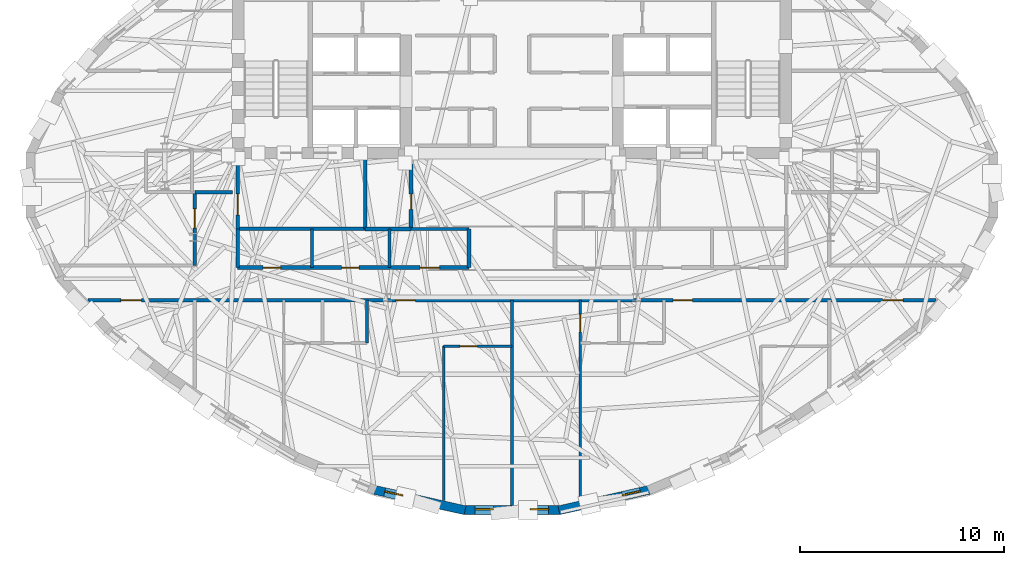
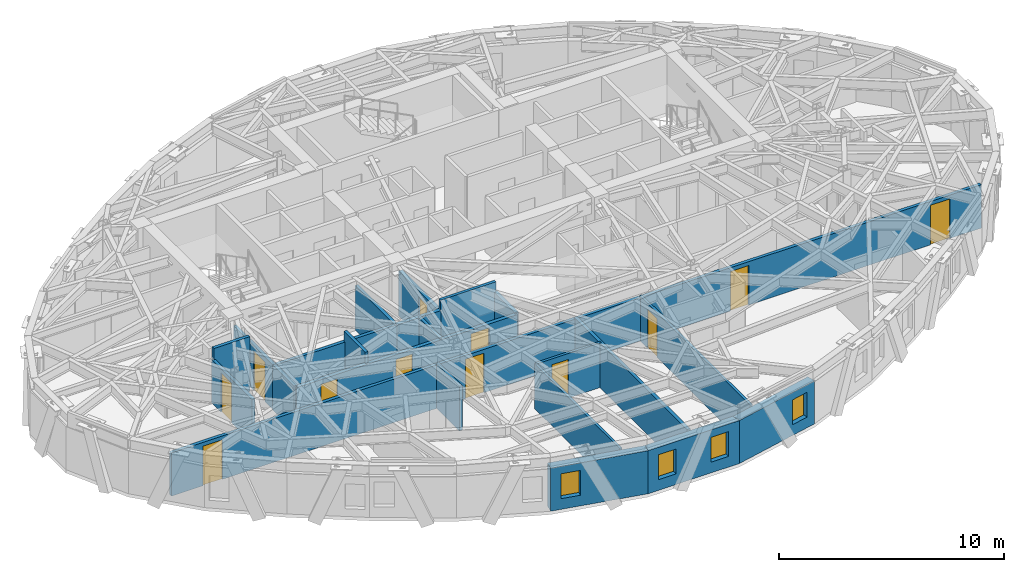
# One storey, part 6 of 13: 22 walls, 12 doors, 4 windows, 16 openings.
"""IFC4 building model written with IfcOpenShell, lengths in metres."""

from ifc_helpers import new_model, si_unit, direction, frame, frame_2d, origin, place, context, subcontext, project, spatial, rectangle, extrude, material, layer, layer_set, type_object, element, fill, save


model = new_model("IFC4")

# Units and contexts
model_context = context("Model", 3, precision=1e-05, world=origin(), true_north=direction((0.0, 1.0)))
body_context = subcontext(model_context, "Body", "Model", "MODEL_VIEW")
ifc_project = project(units=[si_unit("LENGTHUNIT", "METRE"), si_unit("AREAUNIT", "SQUARE_METRE"), si_unit("VOLUMEUNIT", "CUBIC_METRE"), si_unit("PLANEANGLEUNIT", "RADIAN"), si_unit("MASSUNIT", "GRAM", prefix="KILO")], contexts=[model_context])

# Site, building, storey
site_placement = place(None, origin())
site = spatial("IfcSite", under=ifc_project, at=site_placement, CompositionType="ELEMENT")
building_placement = place(site_placement, origin())
building = spatial("IfcBuilding", under=site, at=building_placement, Name="Keldmark Tower", CompositionType="ELEMENT")
storey_placement = place(building_placement, frame((0.0, 0.0, 210.0)))
storey = spatial("IfcBuildingStorey", under=building, at=storey_placement, Name="L58", CompositionType="ELEMENT", Elevation=210.0)

# Wall, openings, doors
ifc_material_1 = material(Name="Heavy Acoustic Plumbing Chase Gypsum Assembly", Category="gypsum")
ifc_layer_1 = layer(ifc_material_1, 0.18994140625)
ifc_layer_set_1 = layer_set([ifc_layer_1], Name="Heavy Acoustic Plumbing Chase Gypsum Assembly")
wall_type_1 = type_object("IfcWallType", Name="Heavy Wet Wall 190 mm", PredefinedType="PLUMBINGWALL", material=ifc_layer_set_1)
wall_1_placement = place(storey_placement, frame((-13.449951171875, -4.050048828125, 0.0), z_axis=(0.0, 0.0, 1.0), x_axis=(1.0, 0.0, 0.0)))
wall_1 = element("IfcWall", 1, at=wall_1_placement, inside=storey, type_object=wall_type_1, Name="L58 Heavy Wet Wall 190 mm SPK-W-S", PredefinedType="PLUMBINGWALL", context=body_context, shape_type="SweptSolid", body=[
    extrude(rectangle(XDim=11.349853515625, YDim=0.18994140625, at=frame_2d((5.6748046875, 0.0))), origin(), (0.0, 0.0, 1.0), 2.35693359375),
])
opening_1_placement = place(wall_1_placement, frame((1.25, 0.0, 0.0)))
opening_1 = element("IfcOpeningElement", 2, at=opening_1_placement, cuts=wall_1, Name="Opening D-WC085", PredefinedType="OPENING", context=body_context, shape_type="SweptSolid", body=[
    extrude(rectangle(XDim=0.85009765625, YDim=2.10009765625, at=frame_2d((0.425048828125, 1.050048828125))), frame((0.0, 0.10498046875, 0.0), z_axis=(0.0, -1.0, 0.0), x_axis=(1.0, 0.0, 0.0)), (0.0, 0.0, 1.0), 0.2099609375),
])
opening_2_placement = place(wall_1_placement, frame((5.10009765625, 0.0, 0.0)))
opening_2 = element("IfcOpeningElement", 3, at=opening_2_placement, cuts=wall_1, Name="Opening D-WC085", PredefinedType="OPENING", context=body_context, shape_type="SweptSolid", body=[
    extrude(rectangle(XDim=0.85009765625, YDim=2.10009765625, at=frame_2d((0.425048828125, 1.050048828125))), frame((0.0, 0.10498046875, 0.0), z_axis=(0.0, -1.0, 0.0), x_axis=(1.0, 0.0, 0.0)), (0.0, 0.0, 1.0), 0.2099609375),
])
opening_3_placement = place(wall_1_placement, frame((8.949951171875, 0.0, 0.0)))
opening_3 = element("IfcOpeningElement", 4, at=opening_3_placement, cuts=wall_1, Name="Opening D-AWC95", PredefinedType="OPENING", context=body_context, shape_type="SweptSolid", body=[
    extrude(rectangle(XDim=0.949951171875, YDim=2.14990234375, at=frame_2d((0.47509765625, 1.074951171875))), frame((0.0, 0.10498046875, 0.0), z_axis=(0.0, -1.0, 0.0), x_axis=(1.0, 0.0, 0.0)), (0.0, 0.0, 1.0), 0.2099609375),
])
ifc_material_2 = material(Name="Painted Solid-Core Architectural Wood", Category="wood")
door_type_1 = type_object("IfcDoorType", Name="Accessible WC Door 950x2150", OperationType="NOTDEFINED", PredefinedType="DOOR", material=ifc_material_2)
door_1_placement = place(opening_3_placement, origin())
door_1 = element("IfcDoor", 5, at=door_1_placement, inside=storey, type_object=door_type_1, Name="L58 Accessible WC Door 950x2150 D-SPKW3-L58", OperationType="SINGLE_SWING_LEFT", OverallHeight=2.14990234375, OverallWidth=0.949951171875, PredefinedType="DOOR", context=body_context, shape_type="SweptSolid", body=[
    extrude(rectangle(XDim=0.949951171875, YDim=2.14990234375, at=frame_2d((0.47509765625, 1.074951171875))), frame((0.0, 0.02490234375, 0.0), z_axis=(0.0, -1.0, 0.0), x_axis=(1.0, 0.0, 0.0)), (0.0, 0.0, 1.0), 0.050048828125),
])
fill(opening_3, door_1)
ifc_material_3 = material(Name="Moisture-Sealed Painted Wood", Category="wood")
door_type_2 = type_object("IfcDoorType", Name="WC Door 850x2100", OperationType="NOTDEFINED", PredefinedType="DOOR", material=ifc_material_3)
door_2_placement = place(opening_1_placement, origin())
door_2 = element("IfcDoor", 6, at=door_2_placement, inside=storey, type_object=door_type_2, Name="L58 WC Door 850x2100 D-SPKW1-L58", OperationType="SINGLE_SWING_LEFT", OverallHeight=2.10009765625, OverallWidth=0.85009765625, PredefinedType="DOOR", context=body_context, shape_type="SweptSolid", body=[
    extrude(rectangle(XDim=0.85009765625, YDim=2.10009765625, at=frame_2d((0.425048828125, 1.050048828125))), frame((0.0, 0.02490234375, 0.0), z_axis=(0.0, -1.0, 0.0), x_axis=(1.0, 0.0, 0.0)), (0.0, 0.0, 1.0), 0.050048828125),
])
fill(opening_1, door_2)
door_3_placement = place(opening_2_placement, origin())
door_3 = element("IfcDoor", 7, at=door_3_placement, inside=storey, type_object=door_type_2, Name="L58 WC Door 850x2100 D-SPKW2-L58", OperationType="SINGLE_SWING_RIGHT", OverallHeight=2.10009765625, OverallWidth=0.85009765625, PredefinedType="DOOR", context=body_context, shape_type="SweptSolid", body=[
    extrude(rectangle(XDim=0.85009765625, YDim=2.10009765625, at=frame_2d((0.425048828125, 1.050048828125))), frame((0.0, 0.02490234375, 0.0), z_axis=(0.0, -1.0, 0.0), x_axis=(1.0, 0.0, 0.0)), (0.0, 0.0, 1.0), 0.050048828125),
])
fill(opening_2, door_3)

# Walls
for number, where, z_axis, x_axis, name in (
    (8, (-13.449951171875, -4.050048828125, 0.0), (0.0, 0.0, 1.0), (0.0, 1.0, 0.0), "L58 Heavy Wet Wall 190 mm SPK-W-W"),
    (9, (-2.10009765625, -4.050048828125, 0.0), (0.0, 0.0, 1.0), (0.0, 1.0, 0.0), "L58 Heavy Wet Wall 190 mm SPK-W-E"),
):
    element("IfcWall", number, at=place(storey_placement, frame(where, z_axis=z_axis, x_axis=x_axis)), inside=storey, type_object=wall_type_1, Name=name, PredefinedType="PLUMBINGWALL", context=body_context, shape_type="SweptSolid", body=[
        extrude(rectangle(XDim=1.900146484375, YDim=0.18994140625, at=frame_2d((0.9501953125, 0.0))), origin(), (0.0, 0.0, 1.0), 2.423095703125),
    ])
ifc_material_4 = material(Name="Acoustic Gypsum Board Interior Partition", Category="gypsum")
ifc_layer_2 = layer(ifc_material_4, 0.1298828125)
ifc_layer_set_2 = layer_set([ifc_layer_2], Name="Acoustic Gypsum Board Interior Partition")
wall_type_2 = type_object("IfcWallType", Name="Interior Partition 130 mm", PredefinedType="PARTITIONING", material=ifc_layer_set_2)
wall_2_placement = place(storey_placement, frame((-3.35009765625, -15.481201171875, 0.0), z_axis=(0.0, 0.0, 1.0), x_axis=(0.0, 1.0, 0.0)))
element("IfcWall", 10, at=wall_2_placement, inside=storey, type_object=wall_type_2, Name="L58 Interior Partition 130 mm UA-BR2-W", PredefinedType="PARTITIONING", context=body_context, shape_type="SweptSolid", body=[
    extrude(rectangle(XDim=7.581298828125, YDim=0.1298828125, at=frame_2d((3.79052734375, 0.0))), origin(), (0.0, 0.0, 1.0), 2.423095703125),
])

# Wall, opening, door
wall_3_placement = place(storey_placement, frame((-3.35009765625, -7.89990234375, 0.0), z_axis=(0.0, 0.0, 1.0), x_axis=(1.0, 0.0, 0.0)))
wall_3 = element("IfcWall", 11, at=wall_3_placement, inside=storey, type_object=wall_type_2, Name="L58 Interior Partition 130 mm UA-BR2-N", PredefinedType="PARTITIONING", context=body_context, shape_type="SweptSolid", body=[
    extrude(rectangle(XDim=3.35009765625, YDim=0.1298828125, at=frame_2d((1.675048828125, 0.0))), origin(), (0.0, 0.0, 1.0), 2.423095703125),
])
opening_4_placement = place(wall_3_placement, frame((0.800048828125, 0.0, 0.0)))
opening_4 = element("IfcOpeningElement", 12, at=opening_4_placement, cuts=wall_3, Name="Opening D-BR085", PredefinedType="OPENING", context=body_context, shape_type="SweptSolid", body=[
    extrude(rectangle(XDim=0.85009765625, YDim=2.10009765625, at=frame_2d((0.425048828125, 1.050048828125))), frame((0.0, 0.074951171875, 0.0), z_axis=(0.0, -1.0, 0.0), x_axis=(1.0, 0.0, 0.0)), (0.0, 0.0, 1.0), 0.14990234375),
])
ifc_material_5 = material(Name="Solid-Core Stained Walnut Wood", Category="wood")
door_type_3 = type_object("IfcDoorType", Name="Bedroom Door 850x2100", OperationType="NOTDEFINED", PredefinedType="DOOR", material=ifc_material_5)
door_4_placement = place(opening_4_placement, origin())
door_4 = element("IfcDoor", 13, at=door_4_placement, inside=storey, type_object=door_type_3, Name="L58 Bedroom Door 850x2100 D-UA-BR2-L58", OperationType="SINGLE_SWING_LEFT", OverallHeight=2.10009765625, OverallWidth=0.85009765625, PredefinedType="DOOR", context=body_context, shape_type="SweptSolid", body=[
    extrude(rectangle(XDim=0.85009765625, YDim=2.10009765625, at=frame_2d((0.425048828125, 1.050048828125))), frame((0.0, 0.02490234375, 0.0), z_axis=(0.0, -1.0, 0.0), x_axis=(1.0, 0.0, 0.0)), (0.0, 0.0, 1.0), 0.050048828125),
])
fill(opening_4, door_4)

wall_4_placement = place(storey_placement, frame((3.35009765625, -15.481201171875, 0.0), z_axis=(0.0, 0.0, 1.0), x_axis=(0.0, 1.0, 0.0)))
wall_4 = element("IfcWall", 14, at=wall_4_placement, inside=storey, type_object=wall_type_2, Name="L58 Interior Partition 130 mm UB-BR1-E", PredefinedType="PARTITIONING", context=body_context, shape_type="SweptSolid", body=[
    extrude(rectangle(XDim=9.831298828125, YDim=0.1298828125, at=frame_2d((4.91552734375, 0.0))), origin(), (0.0, 0.0, 1.0), 2.423095703125),
])
opening_5_placement = place(wall_4_placement, frame((8.28125, 0.0, 0.0)))
opening_5 = element("IfcOpeningElement", 15, at=opening_5_placement, cuts=wall_4, Name="Opening D-BR085", PredefinedType="OPENING", context=body_context, shape_type="SweptSolid", body=[
    extrude(rectangle(XDim=0.85009765625, YDim=2.10009765625, at=frame_2d((0.425048828125, 1.050048828125))), frame((0.0, 0.074951171875, 0.0), z_axis=(0.0, -1.0, 0.0), x_axis=(1.0, 0.0, 0.0)), (0.0, 0.0, 1.0), 0.14990234375),
])
door_5_placement = place(opening_5_placement, origin())
door_5 = element("IfcDoor", 16, at=door_5_placement, inside=storey, type_object=door_type_3, Name="L58 Bedroom Door 850x2100 D-UB-BR1-L58", OperationType="SINGLE_SWING_RIGHT", OverallHeight=2.10009765625, OverallWidth=0.85009765625, PredefinedType="DOOR", context=body_context, shape_type="SweptSolid", body=[
    extrude(rectangle(XDim=0.85009765625, YDim=2.10009765625, at=frame_2d((0.425048828125, 1.050048828125))), frame((0.0, 0.02490234375, 0.0), z_axis=(0.0, -1.0, 0.0), x_axis=(1.0, 0.0, 0.0)), (0.0, 0.0, 1.0), 0.050048828125),
])
fill(opening_5, door_5)

# Wall
ifc_material_6 = material(Name="Type X Fire-Rated Gypsum Partition Assembly", Category="gypsum")
ifc_layer_3 = layer(ifc_material_6, 0.1650390625)
ifc_layer_set_3 = layer_set([ifc_layer_3], Name="Type X Fire-Rated Gypsum Partition Assembly")
wall_type_3 = type_object("IfcWallType", Name="Rated Partition 165 mm", PredefinedType="PARTITIONING", material=ifc_layer_set_3)
wall_5_placement = place(storey_placement, frame((-13.449951171875, -2.14990234375, 0.0), z_axis=(0.0, 0.0, 1.0), x_axis=(1.0, 0.0, 0.0)))
element("IfcWall", 17, at=wall_5_placement, inside=storey, type_object=wall_type_3, Name="L58 Rated Partition 165 mm FSAE-W-S", PredefinedType="PARTITIONING", context=body_context, shape_type="SweptSolid", body=[
    extrude(rectangle(XDim=6.25, YDim=0.1650390625, at=frame_2d((3.125, 0.0))), origin(), (0.0, 0.0, 1.0), 2.423095703125),
])

# Wall, opening, door
wall_6_placement = place(storey_placement, frame((-13.449951171875, -2.14990234375, 0.0), z_axis=(0.0, 0.0, 1.0), x_axis=(0.0, 1.0, 0.0)))
wall_6 = element("IfcWall", 18, at=wall_6_placement, inside=storey, type_object=wall_type_3, Name="L58 Rated Partition 165 mm FSAE-W-W", PredefinedType="PARTITIONING", context=body_context, shape_type="SweptSolid", body=[
    extrude(rectangle(XDim=3.5, YDim=0.1650390625, at=frame_2d((1.75, 0.0))), origin(), (0.0, 0.0, 1.0), 2.423095703125),
])
opening_6_placement = place(wall_6_placement, frame((0.669921875, 0.0, 0.0)))
opening_6 = element("IfcOpeningElement", 19, at=opening_6_placement, cuts=wall_6, Name="Opening D-FL105", PredefinedType="OPENING", context=body_context, shape_type="SweptSolid", body=[
    extrude(rectangle(XDim=1.050048828125, YDim=2.14990234375, at=frame_2d((0.52490234375, 1.074951171875))), frame((0.0, 0.092529296875, 0.0), z_axis=(0.0, -1.0, 0.0), x_axis=(1.0, 0.0, 0.0)), (0.0, 0.0, 1.0), 0.18505859375),
])
ifc_material_7 = material(Name="Fire-Rated Mineral-Core Door and Vision Lite", Category="metal")
door_type_4 = type_object("IfcDoorType", Name="Fire Lobby Door 1050x2150", OperationType="NOTDEFINED", PredefinedType="DOOR", material=ifc_material_7)
door_6_placement = place(opening_6_placement, origin())
door_6 = element("IfcDoor", 20, at=door_6_placement, inside=storey, type_object=door_type_4, Name="L58 Fire Lobby Door 1050x2150 D-FSAEW-OUT-L58", OperationType="SINGLE_SWING_RIGHT", OverallHeight=2.14990234375, OverallWidth=1.050048828125, PredefinedType="DOOR", context=body_context, shape_type="SweptSolid", body=[
    extrude(rectangle(XDim=1.050048828125, YDim=2.14990234375, at=frame_2d((0.52490234375, 1.074951171875))), frame((0.0, 0.02490234375, 0.0), z_axis=(0.0, -1.0, 0.0), x_axis=(1.0, 0.0, 0.0)), (0.0, 0.0, 1.0), 0.050048828125),
])
fill(opening_6, door_6)

# Wall
wall_7_placement = place(storey_placement, frame((-7.199951171875, -2.14990234375, 0.0), z_axis=(0.0, 0.0, 1.0), x_axis=(0.0, 1.0, 0.0)))
element("IfcWall", 21, at=wall_7_placement, inside=storey, type_object=wall_type_3, Name="L58 Rated Partition 165 mm FSAE-W-E", PredefinedType="PARTITIONING", context=body_context, shape_type="SweptSolid", body=[
    extrude(rectangle(XDim=3.5, YDim=0.1650390625, at=frame_2d((1.75, 0.0))), origin(), (0.0, 0.0, 1.0), 2.423095703125),
])

# Wall, openings, doors
wall_8_placement = place(storey_placement, frame((-20.799072265625, -5.64990234375, 0.0), z_axis=(0.0, 0.0, 1.0), x_axis=(1.0, 0.0, 0.0)))
wall_8 = element("IfcWall", 22, at=wall_8_placement, inside=storey, type_object=wall_type_3, Name="L58 Rated Partition 165 mm RCOR-S", PredefinedType="PARTITIONING", context=body_context, shape_type="SweptSolid", body=[
    extrude(rectangle(XDim=41.59814453125, YDim=0.1650390625, at=frame_2d((20.799072265625, 0.0))), origin(), (0.0, 0.0, 1.0), 2.35693359375),
])
opening_7_placement = place(wall_8_placement, frame((1.6201171875, 0.0, 0.0)))
opening_7 = element("IfcOpeningElement", 23, at=opening_7_placement, cuts=wall_8, Name="Opening D-FD100", PredefinedType="OPENING", context=body_context, shape_type="SweptSolid", body=[
    extrude(rectangle(XDim=1.0, YDim=2.14990234375, at=frame_2d((0.5, 1.074951171875))), frame((0.0, 0.092529296875, 0.0), z_axis=(0.0, -1.0, 0.0), x_axis=(1.0, 0.0, 0.0)), (0.0, 0.0, 1.0), 0.18505859375),
])
opening_8_placement = place(wall_8_placement, frame((38.97802734375, 0.0, 0.0)))
opening_8 = element("IfcOpeningElement", 24, at=opening_8_placement, cuts=wall_8, Name="Opening D-FD100", PredefinedType="OPENING", context=body_context, shape_type="SweptSolid", body=[
    extrude(rectangle(XDim=1.0, YDim=2.14990234375, at=frame_2d((0.5, 1.074951171875))), frame((0.0, 0.092529296875, 0.0), z_axis=(0.0, -1.0, 0.0), x_axis=(1.0, 0.0, 0.0)), (0.0, 0.0, 1.0), 0.18505859375),
])
opening_9_placement = place(wall_8_placement, frame((15.109130859375, 0.0, 0.0)))
opening_9 = element("IfcOpeningElement", 25, at=opening_9_placement, cuts=wall_8, Name="Opening D-AP095", PredefinedType="OPENING", context=body_context, shape_type="SweptSolid", body=[
    extrude(rectangle(XDim=0.949951171875, YDim=2.14990234375, at=frame_2d((0.47509765625, 1.074951171875))), frame((0.0, 0.092529296875, 0.0), z_axis=(0.0, -1.0, 0.0), x_axis=(1.0, 0.0, 0.0)), (0.0, 0.0, 1.0), 0.18505859375),
])
opening_10_placement = place(wall_8_placement, frame((28.69921875, 0.0, 0.0)))
opening_10 = element("IfcOpeningElement", 26, at=opening_10_placement, cuts=wall_8, Name="Opening D-AP095", PredefinedType="OPENING", context=body_context, shape_type="SweptSolid", body=[
    extrude(rectangle(XDim=0.949951171875, YDim=2.14990234375, at=frame_2d((0.47509765625, 1.074951171875))), frame((0.0, 0.092529296875, 0.0), z_axis=(0.0, -1.0, 0.0), x_axis=(1.0, 0.0, 0.0)), (0.0, 0.0, 1.0), 0.18505859375),
])
ifc_material_8 = material(Name="Solid-Core Walnut Fire-Rated Entry Assembly", Category="wood")
door_type_5 = type_object("IfcDoorType", Name="Apartment Entry Door 950x2150", OperationType="NOTDEFINED", PredefinedType="DOOR", material=ifc_material_8)
door_7_placement = place(opening_9_placement, origin())
door_7 = element("IfcDoor", 27, at=door_7_placement, inside=storey, type_object=door_type_5, Name="L58 Apartment Entry Door 950x2150 D-UA-ENT-L58", OperationType="SINGLE_SWING_RIGHT", OverallHeight=2.14990234375, OverallWidth=0.949951171875, PredefinedType="DOOR", context=body_context, shape_type="SweptSolid", body=[
    extrude(rectangle(XDim=0.949951171875, YDim=2.14990234375, at=frame_2d((0.47509765625, 1.074951171875))), frame((0.0, 0.02490234375, 0.0), z_axis=(0.0, -1.0, 0.0), x_axis=(1.0, 0.0, 0.0)), (0.0, 0.0, 1.0), 0.050048828125),
])
fill(opening_9, door_7)
door_8_placement = place(opening_10_placement, origin())
door_8 = element("IfcDoor", 28, at=door_8_placement, inside=storey, type_object=door_type_5, Name="L58 Apartment Entry Door 950x2150 D-UB-ENT-L58", OperationType="SINGLE_SWING_LEFT", OverallHeight=2.14990234375, OverallWidth=0.949951171875, PredefinedType="DOOR", context=body_context, shape_type="SweptSolid", body=[
    extrude(rectangle(XDim=0.949951171875, YDim=2.14990234375, at=frame_2d((0.47509765625, 1.074951171875))), frame((0.0, 0.02490234375, 0.0), z_axis=(0.0, -1.0, 0.0), x_axis=(1.0, 0.0, 0.0)), (0.0, 0.0, 1.0), 0.050048828125),
])
fill(opening_10, door_8)
ifc_material_9 = material(Name="Hollow Metal Fire-Rated Corridor Door", Category="metal")
door_type_6 = type_object("IfcDoorType", Name="Fire Door 1000x2150", OperationType="NOTDEFINED", PredefinedType="DOOR", material=ifc_material_9)
door_9_placement = place(opening_7_placement, origin())
door_9 = element("IfcDoor", 29, at=door_9_placement, inside=storey, type_object=door_type_6, Name="L58 Fire Door 1000x2150 D-RSCW-L58", OperationType="SINGLE_SWING_LEFT", OverallHeight=2.14990234375, OverallWidth=1.0, PredefinedType="DOOR", context=body_context, shape_type="SweptSolid", body=[
    extrude(rectangle(XDim=1.0, YDim=2.14990234375, at=frame_2d((0.5, 1.074951171875))), frame((0.0, 0.02490234375, 0.0), z_axis=(0.0, -1.0, 0.0), x_axis=(1.0, 0.0, 0.0)), (0.0, 0.0, 1.0), 0.050048828125),
])
fill(opening_7, door_9)
door_10_placement = place(opening_8_placement, origin())
door_10 = element("IfcDoor", 30, at=door_10_placement, inside=storey, type_object=door_type_6, Name="L58 Fire Door 1000x2150 D-RSCE-L58", OperationType="SINGLE_SWING_LEFT", OverallHeight=2.14990234375, OverallWidth=1.0, PredefinedType="DOOR", context=body_context, shape_type="SweptSolid", body=[
    extrude(rectangle(XDim=1.0, YDim=2.14990234375, at=frame_2d((0.5, 1.074951171875))), frame((0.0, 0.02490234375, 0.0), z_axis=(0.0, -1.0, 0.0), x_axis=(1.0, 0.0, 0.0)), (0.0, 0.0, 1.0), 0.050048828125),
])
fill(opening_8, door_10)

# Wall, opening, door
wall_9_placement = place(storey_placement, frame((-15.550048828125, -3.949951171875, 0.0), z_axis=(0.0, 0.0, 1.0), x_axis=(0.0, 1.0, 0.0)))
wall_9 = element("IfcWall", 31, at=wall_9_placement, inside=storey, type_object=wall_type_3, Name="L58 Rated Partition 165 mm RCOR-VW", PredefinedType="PARTITIONING", context=body_context, shape_type="SweptSolid", body=[
    extrude(rectangle(XDim=3.599853515625, YDim=0.1650390625, at=frame_2d((1.7998046875, 0.0))), origin(), (0.0, 0.0, 1.0), 2.35693359375),
])
opening_11_placement = place(wall_9_placement, frame((1.830078125, 0.0, 0.0)))
opening_11 = element("IfcOpeningElement", 32, at=opening_11_placement, cuts=wall_9, Name="Opening D-AP095", PredefinedType="OPENING", context=body_context, shape_type="SweptSolid", body=[
    extrude(rectangle(XDim=0.949951171875, YDim=2.14990234375, at=frame_2d((0.47509765625, 1.074951171875))), frame((0.0, 0.092529296875, 0.0), z_axis=(0.0, -1.0, 0.0), x_axis=(1.0, 0.0, 0.0)), (0.0, 0.0, 1.0), 0.18505859375),
])
door_11_placement = place(opening_11_placement, origin())
door_11 = element("IfcDoor", 33, at=door_11_placement, inside=storey, type_object=door_type_5, Name="L58 Apartment Entry Door 950x2150 D-UC-ENT-L58", OperationType="SINGLE_SWING_RIGHT", OverallHeight=2.14990234375, OverallWidth=0.949951171875, PredefinedType="DOOR", context=body_context, shape_type="SweptSolid", body=[
    extrude(rectangle(XDim=0.949951171875, YDim=2.14990234375, at=frame_2d((0.47509765625, 1.074951171875))), frame((0.0, 0.02490234375, 0.0), z_axis=(0.0, -1.0, 0.0), x_axis=(1.0, 0.0, 0.0)), (0.0, 0.0, 1.0), 0.050048828125),
])
fill(opening_11, door_11)

# Walls
wall_10_placement = place(storey_placement, frame((-15.550048828125, -0.35009765625, 0.0), z_axis=(0.0, 0.0, 1.0), x_axis=(1.0, 0.0, 0.0)))
element("IfcWall", 34, at=wall_10_placement, inside=storey, type_object=wall_type_3, Name="L58 Rated Partition 165 mm RCOR-VWN", PredefinedType="PARTITIONING", context=body_context, shape_type="SweptSolid", body=[
    extrude(rectangle(XDim=1.85009765625, YDim=0.1650390625, at=frame_2d((0.925048828125, 0.0))), origin(), (0.0, 0.0, 1.0), 2.969970703125),
])
wall_11_placement = place(storey_placement, frame((0.0, -15.7177734375, 0.0), z_axis=(0.0, 0.0, 1.0), x_axis=(0.0, 1.0, 0.0)))
element("IfcWall", 35, at=wall_11_placement, inside=storey, type_object=wall_type_3, Name="L58 Rated Partition 165 mm RS-DIV-1", PredefinedType="PARTITIONING", context=body_context, shape_type="SweptSolid", body=[
    extrude(rectangle(XDim=10.06787109375, YDim=0.1650390625, at=frame_2d((5.033935546875, 0.0))), origin(), (0.0, 0.0, 1.0), 2.423095703125),
])
ifc_material_10 = material(Name="Fire-Resistant Type X Gypsum Shaftliner Coreboard", Category="gypsum")
ifc_layer_4 = layer(ifc_material_10, 0.199951171875)
ifc_layer_set_4 = layer_set([ifc_layer_4], Name="Fire-Resistant Type X Gypsum Shaftliner Coreboard")
wall_type_4 = type_object("IfcWallType", Name="Shaft Wall 200 mm", PredefinedType="SOLIDWALL", material=ifc_layer_set_4)
wall_12_placement = place(storey_placement, frame((-7.199951171875, -2.14990234375, 0.0), z_axis=(0.0, 0.0, 1.0), x_axis=(1.0, 0.0, 0.0)))
element("IfcWall", 36, at=wall_12_placement, inside=storey, type_object=wall_type_4, Name="L58 Shaft Wall 200 mm RIS-SW-S", PredefinedType="SOLIDWALL", context=body_context, shape_type="SweptSolid", body=[
    extrude(rectangle(XDim=2.25, YDim=0.199951171875, at=frame_2d((1.125, 0.0))), origin(), (0.0, 0.0, 1.0), 2.423095703125),
])

# Wall, opening, door
wall_13_placement = place(storey_placement, frame((-4.949951171875, -2.14990234375, 0.0), z_axis=(0.0, 0.0, 1.0), x_axis=(0.0, 1.0, 0.0)))
wall_13 = element("IfcWall", 37, at=wall_13_placement, inside=storey, type_object=wall_type_4, Name="L58 Shaft Wall 200 mm RIS-SW-E", PredefinedType="SOLIDWALL", context=body_context, shape_type="SweptSolid", body=[
    extrude(rectangle(XDim=3.5, YDim=0.199951171875, at=frame_2d((1.75, 0.0))), origin(), (0.0, 0.0, 1.0), 2.423095703125),
])
opening_12_placement = place(wall_13_placement, frame((0.949951171875, 0.0, 0.0)))
opening_12 = element("IfcOpeningElement", 38, at=opening_12_placement, cuts=wall_13, Name="Opening D-RS075", PredefinedType="OPENING", context=body_context, shape_type="SweptSolid", body=[
    extrude(rectangle(XDim=0.75, YDim=2.10009765625, at=frame_2d((0.375, 1.050048828125))), frame((0.0, 0.10986328125, 0.0), z_axis=(0.0, -1.0, 0.0), x_axis=(1.0, 0.0, 0.0)), (0.0, 0.0, 1.0), 0.219970703125),
])
ifc_material_11 = material(Name="Galvanized Fire-Rated Access Leaf", Category="metal")
door_type_7 = type_object("IfcDoorType", Name="Riser Access Door 750x2100", OperationType="NOTDEFINED", PredefinedType="DOOR", material=ifc_material_11)
door_12_placement = place(opening_12_placement, origin())
door_12 = element("IfcDoor", 39, at=door_12_placement, inside=storey, type_object=door_type_7, Name="L58 Riser Access Door 750x2100 D-RISSW-L58", OperationType="SINGLE_SWING_RIGHT", OverallHeight=2.10009765625, OverallWidth=0.75, PredefinedType="DOOR", context=body_context, shape_type="SweptSolid", body=[
    extrude(rectangle(XDim=0.75, YDim=2.10009765625, at=frame_2d((0.375, 1.050048828125))), frame((0.0, 0.02490234375, 0.0), z_axis=(0.0, -1.0, 0.0), x_axis=(1.0, 0.0, 0.0)), (0.0, 0.0, 1.0), 0.050048828125),
])
fill(opening_12, door_12)

# Wall, opening, window
ifc_material_12 = material(Name="Ironspot Manganese Brick and Kasota Buff Limestone Spandrel Assembly", Category="masonry")
ifc_layer_5 = layer(ifc_material_12, 0.43994140625)
ifc_layer_set_5 = layer_set([ifc_layer_5], Name="Ironspot Manganese Brick and Kasota Buff Limestone Spandrel Assembly")
wall_type_5 = type_object("IfcWallType", Name="Tower Brick Pier and Spandrel Wall 440 mm", PredefinedType="STANDARD", material=ifc_layer_set_5)
wall_14_placement = place(storey_placement, frame((-2.299072265625, -15.951171875, 0.0), z_axis=(0.0, 0.0, 1.0), x_axis=(-0.97564079092, 0.219374217021, 0.0)))
wall_14 = element("IfcWall", 40, at=wall_14_placement, inside=storey, type_object=wall_type_5, Name="L58 Exterior Brick and Spandrel Wall 23", PredefinedType="STANDARD", context=body_context, shape_type="SweptSolid", body=[
    extrude(rectangle(XDim=4.54736328125, YDim=0.43994140625, at=frame_2d((2.273681640625, 0.0))), origin(), (0.0, 0.0, 1.0), 2.3359375),
])
opening_13_placement = place(wall_14_placement, frame((3.1474609375, 0.0, 0.580078125)))
opening_13 = element("IfcOpeningElement", 41, at=opening_13_placement, cuts=wall_14, Name="Opening W-09", PredefinedType="OPENING", context=body_context, shape_type="SweptSolid", body=[
    extrude(rectangle(XDim=0.89990234375, YDim=1.35009765625, at=frame_2d((0.449951171875, 0.675048828125))), frame((0.0, 0.22998046875, 0.0), z_axis=(0.0, -1.0, 0.0), x_axis=(1.0, 0.0, 0.0)), (0.0, 0.0, 1.0), 0.4599609375),
])
ifc_material_13 = material(Name="Thermally Broken Anodized Aluminum and Triple Low-E Argon Glazing", Category="aluminium")
window_type = type_object("IfcWindowType", Name="Corner Pier Deep-Set Window 900x1350", PartitioningType="SINGLE_PANEL", PredefinedType="WINDOW", material=ifc_material_13)
window_1_placement = place(opening_13_placement, origin())
window_1 = element("IfcWindow", 42, at=window_1_placement, inside=storey, type_object=window_type, Name="L58 Deep-Set Window 23", OverallHeight=1.35009765625, OverallWidth=0.89990234375, PartitioningType="SINGLE_PANEL", PredefinedType="WINDOW", context=body_context, shape_type="SweptSolid", body=[
    extrude(rectangle(XDim=0.89990234375, YDim=1.35009765625, at=frame_2d((0.449951171875, 0.675048828125))), frame((0.0, -0.010009765625, 0.0), z_axis=(0.0, -1.0, 0.0), x_axis=(1.0, 0.0, 0.0)), (0.0, 0.0, 1.0), 0.06005859375),
])
fill(opening_13, window_1)

# Wall, openings, windows
wall_15_placement = place(storey_placement, frame((2.347412109375, -15.94580078125, 0.0), z_axis=(0.0, 0.0, 1.0), x_axis=(-1.0, 0.0, 0.0)))
wall_15 = element("IfcWall", 43, at=wall_15_placement, inside=storey, type_object=wall_type_5, Name="L58 Exterior Brick and Spandrel Wall 24", PredefinedType="STANDARD", context=body_context, shape_type="SweptSolid", body=[
    extrude(rectangle(XDim=4.69482421875, YDim=0.43994140625, at=frame_2d((2.347412109375, 0.0))), origin(), (0.0, 0.0, 1.0), 2.3359375),
])
opening_14_placement = place(wall_15_placement, frame((0.549560546875, 0.0, 0.580078125)))
opening_14 = element("IfcOpeningElement", 44, at=opening_14_placement, cuts=wall_15, Name="Opening W-09", PredefinedType="OPENING", context=body_context, shape_type="SweptSolid", body=[
    extrude(rectangle(XDim=0.89990234375, YDim=1.35009765625, at=frame_2d((0.449951171875, 0.675048828125))), frame((0.0, 0.22998046875, 0.0), z_axis=(0.0, -1.0, 0.0), x_axis=(1.0, 0.0, 0.0)), (0.0, 0.0, 1.0), 0.4599609375),
])
opening_15_placement = place(wall_15_placement, frame((3.2587890625, 0.0, 0.580078125)))
opening_15 = element("IfcOpeningElement", 45, at=opening_15_placement, cuts=wall_15, Name="Opening W-09", PredefinedType="OPENING", context=body_context, shape_type="SweptSolid", body=[
    extrude(rectangle(XDim=0.89990234375, YDim=1.35009765625, at=frame_2d((0.449951171875, 0.675048828125))), frame((0.0, 0.22998046875, 0.0), z_axis=(0.0, -1.0, 0.0), x_axis=(1.0, 0.0, 0.0)), (0.0, 0.0, 1.0), 0.4599609375),
])
window_2_placement = place(opening_14_placement, origin())
window_2 = element("IfcWindow", 46, at=window_2_placement, inside=storey, type_object=window_type, Name="L58 Deep-Set Window 24", OverallHeight=1.35009765625, OverallWidth=0.89990234375, PartitioningType="SINGLE_PANEL", PredefinedType="WINDOW", context=body_context, shape_type="SweptSolid", body=[
    extrude(rectangle(XDim=0.89990234375, YDim=1.35009765625, at=frame_2d((0.449951171875, 0.675048828125))), frame((0.0, -0.010009765625, 0.0), z_axis=(0.0, -1.0, 0.0), x_axis=(1.0, 0.0, 0.0)), (0.0, 0.0, 1.0), 0.06005859375),
])
fill(opening_14, window_2)
window_3_placement = place(opening_15_placement, origin())
window_3 = element("IfcWindow", 47, at=window_3_placement, inside=storey, type_object=window_type, Name="L58 Pier Window RM01", OverallHeight=1.35009765625, OverallWidth=0.89990234375, PartitioningType="SINGLE_PANEL", PredefinedType="WINDOW", context=body_context, shape_type="SweptSolid", body=[
    extrude(rectangle(XDim=0.89990234375, YDim=1.35009765625, at=frame_2d((0.449951171875, 0.675048828125))), frame((0.0, -0.010009765625, 0.0), z_axis=(0.0, -1.0, 0.0), x_axis=(1.0, 0.0, 0.0)), (0.0, 0.0, 1.0), 0.06005859375),
])
fill(opening_15, window_3)

# Wall, opening, window
wall_16_placement = place(storey_placement, frame((6.735595703125, -14.95361328125, 0.0), z_axis=(0.0, 0.0, 1.0), x_axis=(-0.97564079092, -0.219374217021, 0.0)))
wall_16 = element("IfcWall", 48, at=wall_16_placement, inside=storey, type_object=wall_type_5, Name="L58 Exterior Brick and Spandrel Wall 25", PredefinedType="STANDARD", context=body_context, shape_type="SweptSolid", body=[
    extrude(rectangle(XDim=4.54736328125, YDim=0.43994140625, at=frame_2d((2.273681640625, 0.0))), origin(), (0.0, 0.0, 1.0), 2.3359375),
])
opening_16_placement = place(wall_16_placement, frame((0.44970703125, 0.0, 0.580078125)))
opening_16 = element("IfcOpeningElement", 49, at=opening_16_placement, cuts=wall_16, Name="Opening W-09", PredefinedType="OPENING", context=body_context, shape_type="SweptSolid", body=[
    extrude(rectangle(XDim=0.89990234375, YDim=1.35009765625, at=frame_2d((0.449951171875, 0.675048828125))), frame((0.0, 0.22998046875, 0.0), z_axis=(0.0, -1.0, 0.0), x_axis=(1.0, 0.0, 0.0)), (0.0, 0.0, 1.0), 0.4599609375),
])
window_4_placement = place(opening_16_placement, origin())
window_4 = element("IfcWindow", 50, at=window_4_placement, inside=storey, type_object=window_type, Name="L58 Deep-Set Window 25", OverallHeight=1.35009765625, OverallWidth=0.89990234375, PartitioningType="SINGLE_PANEL", PredefinedType="WINDOW", context=body_context, shape_type="SweptSolid", body=[
    extrude(rectangle(XDim=0.89990234375, YDim=1.35009765625, at=frame_2d((0.449951171875, 0.675048828125))), frame((0.0, -0.010009765625, 0.0), z_axis=(0.0, -1.0, 0.0), x_axis=(1.0, 0.0, 0.0)), (0.0, 0.0, 1.0), 0.06005859375),
])
fill(opening_16, window_4)

# Walls
ifc_material_14 = material(Name="Moisture-Resistant Gypsum Plumbing Partition", Category="gypsum")
ifc_layer_6 = layer(ifc_material_14, 0.14990234375)
ifc_layer_set_6 = layer_set([ifc_layer_6], Name="Moisture-Resistant Gypsum Plumbing Partition")
wall_type_6 = type_object("IfcWallType", Name="Wet Wall 150 mm", PredefinedType="PLUMBINGWALL", material=ifc_layer_set_6)
wall_17_placement = place(storey_placement, frame((-4.949951171875, -2.14990234375, 0.0), z_axis=(0.0, 0.0, 1.0), x_axis=(1.0, 0.0, 0.0)))
element("IfcWall", 51, at=wall_17_placement, inside=storey, type_object=wall_type_6, Name="L58 Wet Wall 150 mm SPK-W-N", PredefinedType="PLUMBINGWALL", context=body_context, shape_type="SweptSolid", body=[
    extrude(rectangle(XDim=2.849853515625, YDim=0.14990234375, at=frame_2d((1.4248046875, 0.0))), origin(), (0.0, 0.0, 1.0), 2.969970703125),
])
wall_18_placement = place(storey_placement, frame((-9.800048828125, -4.050048828125, 0.0), z_axis=(0.0, 0.0, 1.0), x_axis=(0.0, 1.0, 0.0)))
element("IfcWall", 52, at=wall_18_placement, inside=storey, type_object=wall_type_6, Name="L58 Wet Wall 150 mm SPK-W-D1", PredefinedType="PLUMBINGWALL", context=body_context, shape_type="SweptSolid", body=[
    extrude(rectangle(XDim=1.900146484375, YDim=0.14990234375, at=frame_2d((0.9501953125, 0.0))), origin(), (0.0, 0.0, 1.0), 2.969970703125),
])
wall_19_placement = place(storey_placement, frame((-6.0, -4.050048828125, 0.0), z_axis=(0.0, 0.0, 1.0), x_axis=(0.0, 1.0, 0.0)))
element("IfcWall", 53, at=wall_19_placement, inside=storey, type_object=wall_type_6, Name="L58 Wet Wall 150 mm SPK-W-D2", PredefinedType="PLUMBINGWALL", context=body_context, shape_type="SweptSolid", body=[
    extrude(rectangle(XDim=1.900146484375, YDim=0.14990234375, at=frame_2d((0.9501953125, 0.0))), origin(), (0.0, 0.0, 1.0), 2.423095703125),
])
wall_20_placement = place(storey_placement, frame((-7.10009765625, -7.75, 0.0), z_axis=(0.0, 0.0, 1.0), x_axis=(0.0, 1.0, 0.0)))
element("IfcWall", 54, at=wall_20_placement, inside=storey, type_object=wall_type_6, Name="L58 Wet Wall 150 mm UA-BK-E", PredefinedType="PLUMBINGWALL", context=body_context, shape_type="SweptSolid", body=[
    extrude(rectangle(XDim=2.10009765625, YDim=0.14990234375, at=frame_2d((1.050048828125, 0.0))), origin(), (0.0, 0.0, 1.0), 2.423095703125),
])

save(model, "model.ifc")
